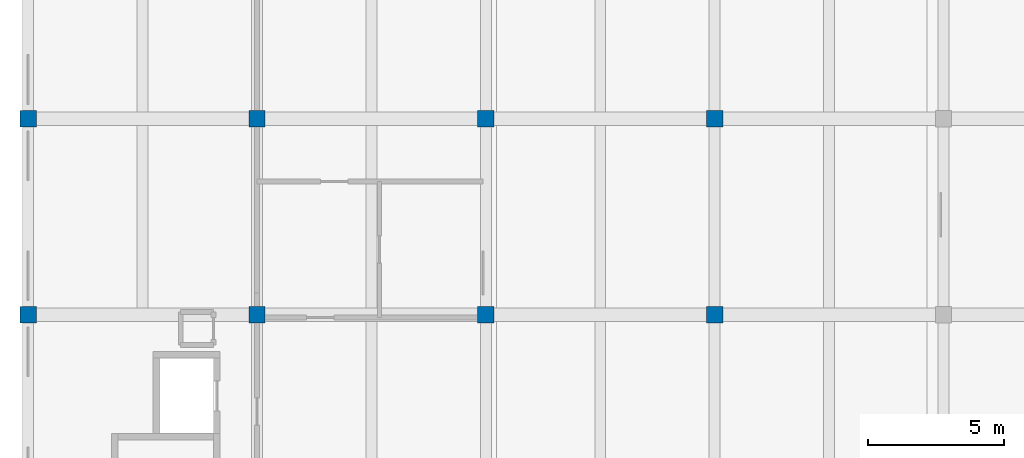
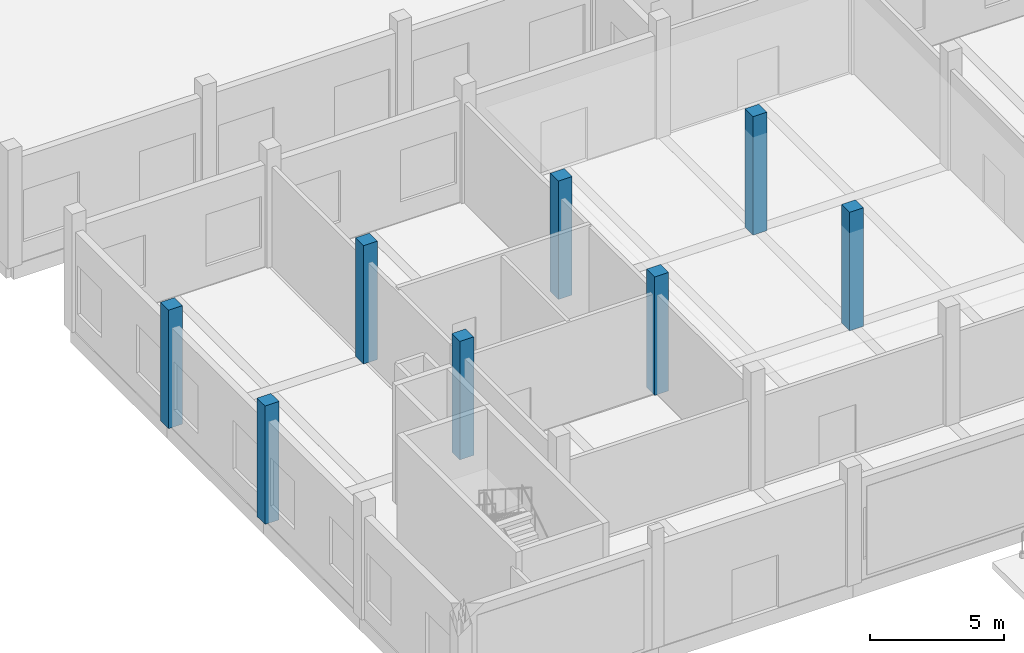
# One storey, part 3 of 41: 8 columns.
"""IFC4 building model written with IfcOpenShell, lengths in metres."""

from ifc_helpers import new_model, si_unit, direction, frame, origin, origin_2d, place, context, subcontext, project, spatial, rectangle, extrude, material, material_profile, profile_set, type_object, element, save


model = new_model("IFC4")

# Units and contexts
model_context = context("Model", 3, precision=1e-05, world=origin(), true_north=direction((0.0, 1.0)))
body_context = subcontext(model_context, "Body", "Model", "MODEL_VIEW")
ifc_project = project(units=[si_unit("LENGTHUNIT", "METRE"), si_unit("AREAUNIT", "SQUARE_METRE"), si_unit("VOLUMEUNIT", "CUBIC_METRE"), si_unit("PLANEANGLEUNIT", "RADIAN"), si_unit("MASSUNIT", "GRAM", prefix="KILO")], contexts=[model_context])

# Site, building, storey
site_placement = place(None, origin())
site = spatial("IfcSite", under=ifc_project, at=site_placement, CompositionType="ELEMENT")
building_placement = place(site_placement, origin())
building = spatial("IfcBuilding", under=site, at=building_placement, Name="Kahlenmark Community Centre", CompositionType="ELEMENT")
storey_placement = place(building_placement, origin())
storey = spatial("IfcBuildingStorey", under=building, at=storey_placement, Name="L00", CompositionType="ELEMENT", Elevation=0.0)

# Columns
ifc_material = material(Name="Concrete C35/45", Category="concrete")
ifc_material_profile = material_profile(ifc_material, rectangle(XDim=0.60009765625, YDim=0.60009765625, at=origin_2d()), Name="RC 600x600")
ifc_profile_set = profile_set([ifc_material_profile], Name="Concrete C35/45")
column_type = type_object("IfcColumnType", Name="CT-RC600", PredefinedType="COLUMN", material=ifc_profile_set)
for number, where, z_axis, x_axis, name in (
    (1, (4.0, 23.199951171875, 0.0), (0.0, 0.0, 1.0), (1.0, 0.0, 0.0), "L00 column (4.0, 23.2)"),
    (2, (4.0, 30.39990234375, 0.0), (0.0, 0.0, 1.0), (1.0, 0.0, 0.0), "L00 column (4.0, 30.4)"),
    (3, (12.39990234375, 23.199951171875, 0.0), (0.0, 0.0, 1.0), (1.0, 0.0, 0.0), "L00 column (12.4, 23.2)"),
    (4, (12.39990234375, 30.39990234375, 0.0), (0.0, 0.0, 1.0), (1.0, 0.0, 0.0), "L00 column (12.4, 30.4)"),
    (5, (20.800048828125, 23.199951171875, 0.0), (0.0, 0.0, 1.0), (1.0, 0.0, 0.0), "L00 column (20.8, 23.2)"),
    (6, (20.800048828125, 30.39990234375, 0.0), (0.0, 0.0, 1.0), (1.0, 0.0, 0.0), "L00 column (20.8, 30.4)"),
    (7, (29.199951171875, 23.199951171875, 0.0), (0.0, 0.0, 1.0), (1.0, 0.0, 0.0), "L00 column (29.2, 23.2)"),
    (8, (29.199951171875, 30.39990234375, 0.0), (0.0, 0.0, 1.0), (1.0, 0.0, 0.0), "L00 column (29.2, 30.4)"),
):
    element("IfcColumn", number, at=place(storey_placement, frame(where, z_axis=z_axis, x_axis=x_axis)), inside=storey, type_object=column_type, Name=name, PredefinedType="COLUMN", context=body_context, shape_type="SweptSolid", body=[
        extrude(rectangle(XDim=0.60009765625, YDim=0.60009765625, at=origin_2d()), origin(), (0.0, 0.0, 1.0), 5.39990234375),
    ])

save(model, "model.ifc")
